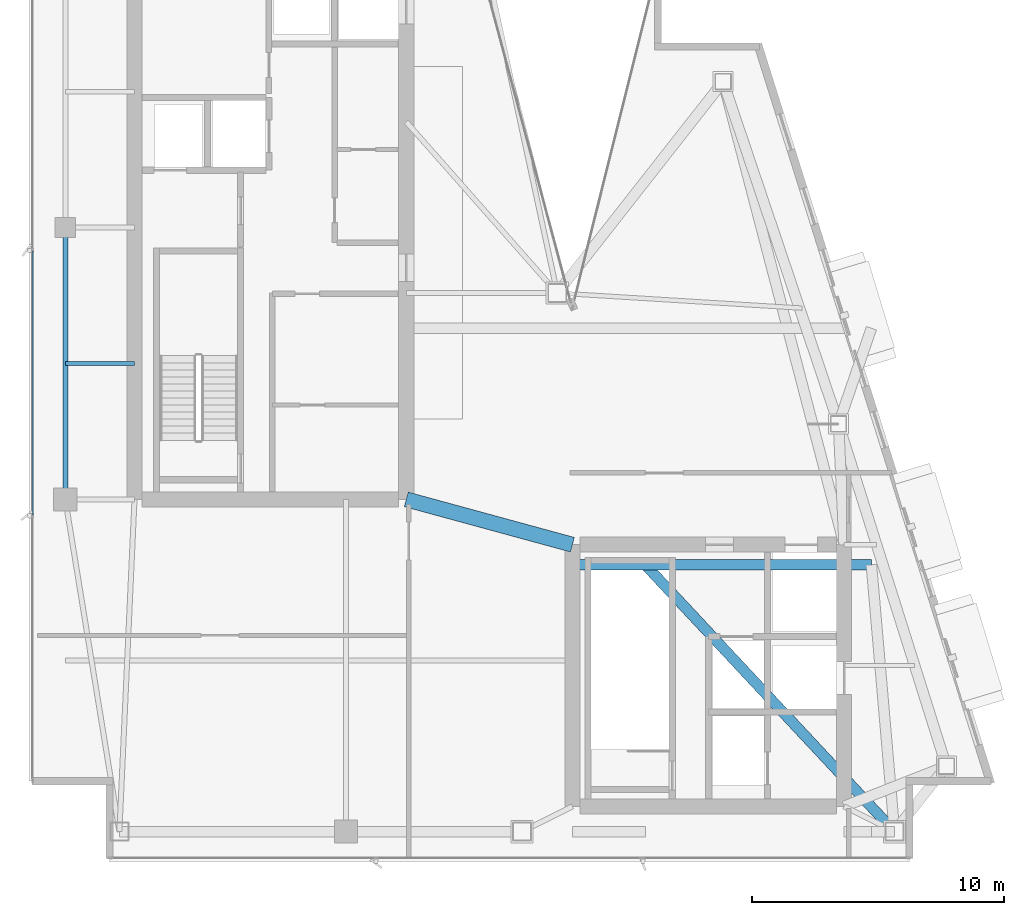
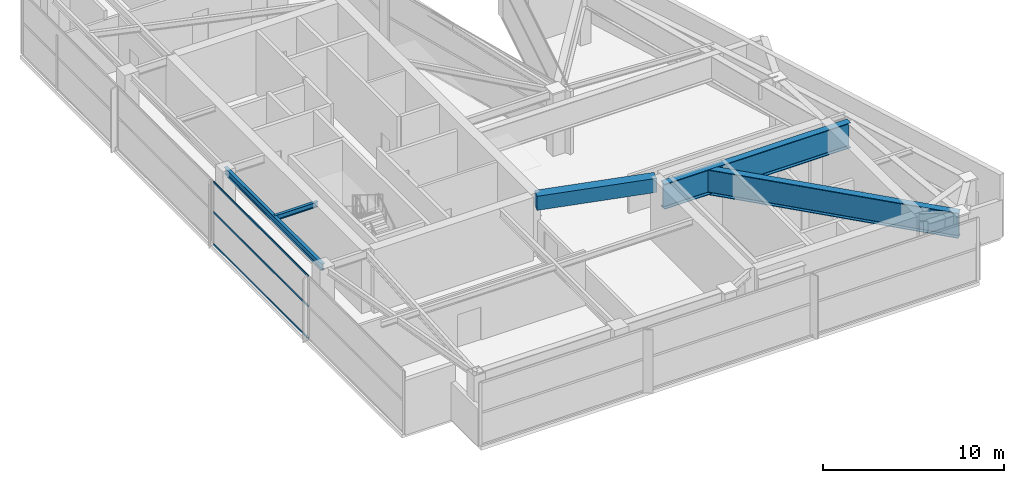
# One storey, part 8 of 25: 5 beams, 3 members, 1 element without a shape of its own.
"""IFC4 building model written with IfcOpenShell, lengths in metres."""

from ifc_helpers import new_model, si_unit, direction, frame, origin, origin_2d, place, context, subcontext, project, spatial, rectangle, hollow_rectangle, i_section, extrude, material, layer, layer_set, material_profile, profile_set, type_object, element, aggregate, save


model = new_model("IFC4")

# Units and contexts
model_context = context("Model", 3, precision=1e-05, world=origin(), true_north=direction((0.0, 1.0)))
body_context = subcontext(model_context, "Body", "Model", "MODEL_VIEW")
ifc_project = project(units=[si_unit("LENGTHUNIT", "METRE"), si_unit("AREAUNIT", "SQUARE_METRE"), si_unit("VOLUMEUNIT", "CUBIC_METRE"), si_unit("PLANEANGLEUNIT", "RADIAN"), si_unit("MASSUNIT", "GRAM", prefix="KILO")], contexts=[model_context])

# Site, building, storey
site_placement = place(None, origin())
site = spatial("IfcSite", under=ifc_project, at=site_placement, CompositionType="ELEMENT")
building_placement = place(site_placement, origin())
building = spatial("IfcBuilding", under=site, at=building_placement, Name="Calvorn Quay Hotel", CompositionType="ELEMENT")
storey_placement = place(building_placement, frame((0.0, 0.0, 316.0)))
storey = spatial("IfcBuildingStorey", under=building, at=storey_placement, Name="L78", CompositionType="ELEMENT", Elevation=316.0)

# Beams
ifc_material_1 = material(Name="Steel Q355B", Category="steel")
ifc_material_profile_1 = material_profile(ifc_material_1, i_section(OverallWidth=0.175048828125, OverallDepth=0.35009765625, WebThickness=0.007080078125, FlangeThickness=0.010986328125, FilletRadius=0.013916015625, at=origin_2d()), Name="HN350x175x7x11")
ifc_profile_set_1 = profile_set([ifc_material_profile_1], Name="Steel Q355B")
beam_type_1 = type_object("IfcBeamType", Name="BM-JOIST-SEC", PredefinedType="JOIST", material=ifc_profile_set_1)
beam_1_placement = place(storey_placement, frame((1.449951171875, 22.199951171875, 4.06494140625), z_axis=(1.0, 0.0, 0.0), x_axis=(0.0, 1.0, 0.0)))
element("IfcBeam", 1, at=beam_1_placement, inside=storey, type_object=beam_type_1, Name="Beam BJ-L78-W3", PredefinedType="JOIST", context=body_context, shape_type="SweptSolid", body=[
    extrude(i_section(OverallWidth=0.175048828125, OverallDepth=0.35009765625, WebThickness=0.007080078125, FlangeThickness=0.010986328125, FilletRadius=0.013916015625, at=origin_2d()), origin(), (0.0, 0.0, 1.0), 2.75),
])
ifc_material_2 = material(Name="Concrete C45", Category="concrete")
ifc_material_profile_2 = material_profile(ifc_material_2, rectangle(XDim=0.60009765625, YDim=0.949951171875, at=origin_2d()), Name="RCB600x950")
ifc_profile_set_2 = profile_set([ifc_material_profile_2], Name="Concrete C45")
beam_type_2 = type_object("IfcBeamType", Name="BM-RC-LINK-600x950", PredefinedType="BEAM", material=ifc_profile_set_2)
beam_2_placement = place(storey_placement, frame((15.0, 16.800048828125, 3.764892578125), z_axis=(0.964762997686, -0.263120425462, 0.0), x_axis=(0.263120425462, 0.964762997686, 0.0)))
element("IfcBeam", 2, at=beam_2_placement, inside=storey, type_object=beam_type_2, Name="Beam BCL-L78-01", PredefinedType="BEAM", context=body_context, shape_type="SweptSolid", body=[
    extrude(rectangle(XDim=0.60009765625, YDim=0.949951171875, at=origin_2d()), origin(), (0.0, 0.0, 1.0), 6.841064453125),
])
ifc_material_3 = material(Name="Steel Q355B", Category="steel")
ifc_material_profile_3 = material_profile(ifc_material_3, i_section(OverallWidth=0.199951171875, OverallDepth=0.449951171875, WebThickness=0.009033203125, FlangeThickness=0.013916015625, FilletRadius=0.01611328125, at=origin_2d()), Name="HN450x200x9x14")
ifc_profile_set_3 = profile_set([ifc_material_profile_3], Name="Steel Q355B")
beam_type_3 = type_object("IfcBeamType", Name="BM-SPANDREL-Z3", PredefinedType="SPANDREL", material=ifc_profile_set_3)
beam_3_placement = place(storey_placement, frame((1.449951171875, 16.800048828125, 4.014892578125), z_axis=(0.0, 1.0, 0.0), x_axis=(-1.0, 0.0, 0.0)))
element("IfcBeam", 3, at=beam_3_placement, inside=storey, type_object=beam_type_3, Name="Beam BSP-L78-W2", PredefinedType="SPANDREL", context=body_context, shape_type="SweptSolid", body=[
    extrude(i_section(OverallWidth=0.199951171875, OverallDepth=0.449951171875, WebThickness=0.009033203125, FlangeThickness=0.013916015625, FilletRadius=0.01611328125, at=origin_2d()), origin(), (0.0, 0.0, 1.0), 10.800048828125),
])
ifc_material_4 = material(Name="Steel Q420GJC", Category="steel")
ifc_material_profile_4 = material_profile(ifc_material_4, i_section(OverallWidth=0.419921875, OverallDepth=1.699951171875, WebThickness=0.02392578125, FlangeThickness=0.0419921875, FilletRadius=0.02392578125, at=origin_2d()), Name="HN1700x420x24x42")
ifc_profile_set_4 = profile_set([ifc_material_profile_4], Name="Steel Q420GJC")
beam_type_4 = type_object("IfcBeamType", Name="BM-XFER-SAWTOOTH", PredefinedType="BEAM", material=ifc_profile_set_4)
beam_4_placement = place(storey_placement, frame((21.60009765625, 14.199951171875, 3.389892578125), z_axis=(1.0, 0.0, 0.0), x_axis=(0.0, 1.0, 0.0)))
element("IfcBeam", 4, at=beam_4_placement, inside=storey, type_object=beam_type_4, Name="Beam BTG-L78-C-CR2A", PredefinedType="BEAM", context=body_context, shape_type="SweptSolid", body=[
    extrude(i_section(OverallWidth=0.419921875, OverallDepth=1.699951171875, WebThickness=0.02392578125, FlangeThickness=0.0419921875, FilletRadius=0.02392578125, at=origin_2d()), origin(), (0.0, 0.0, 1.0), 11.8828125),
])
beam_5_placement = place(storey_placement, frame((24.5, 14.199951171875, 3.389892578125), z_axis=(0.68256530398, -0.73082460673, 0.0), x_axis=(0.73082460673, 0.68256530398, 0.0)))
element("IfcBeam", 5, at=beam_5_placement, inside=storey, type_object=beam_type_4, Name="Beam BTG-L78-C-CRM2B", PredefinedType="BEAM", context=body_context, shape_type="SweptSolid", body=[
    extrude(i_section(OverallWidth=0.419921875, OverallDepth=1.699951171875, WebThickness=0.02392578125, FlangeThickness=0.0419921875, FilletRadius=0.02392578125, at=origin_2d()), origin(), (0.0, 0.0, 1.0), 14.50390625),
])

# Curtain wall, members
ifc_material_5 = material(Name="Champagne Bronze Anodised Aluminium and Low-E Glass", Category="aluminium")
ifc_layer = layer(ifc_material_5, 0.219970703125)
ifc_layer_set = layer_set([ifc_layer], Name="CW-SYS-Z4")
curtain_wall_type = type_object("IfcCurtainWallType", Name="CW-SYS-Z4", PredefinedType="NOTDEFINED", material=ifc_layer_set)
curtain_wall_placement = place(storey_placement, origin())
curtain_wall = element("IfcCurtainWall", 6, at=curtain_wall_placement, inside=storey, type_object=curtain_wall_type, Name="Tower West Curtain Wall (L78)", PredefinedType="NOTDEFINED")
ifc_material_6 = material(Name="Champagne Bronze Anodised Aluminium 6063-T6", Category="aluminium")
ifc_material_profile_5 = material_profile(ifc_material_6, hollow_rectangle(XDim=0.054931640625, YDim=0.1298828125, WallThickness=0.003173828125, at=origin_2d()), Name="ALU-T130x55x3.2")
ifc_profile_set_5 = profile_set([ifc_material_profile_5], Name="Champagne Bronze Anodised Aluminium 6063-T6")
member_type = type_object("IfcMemberType", Name="CW-SYS-Z4-TRN", PredefinedType="USERDEFINED", material=ifc_profile_set_5)
member_1_placement = place(storey_placement, frame((0.14990234375, 16.179931640625, 0.030029296875), z_axis=(0.0, 1.0, 0.0), x_axis=(-1.0, 0.0, 0.0)))
member_1 = element("IfcMember", 7, at=member_1_placement, type_object=member_type, Name="CW-L78-W transom 2.1", ObjectType="TRANSOM", PredefinedType="USERDEFINED", context=body_context, shape_type="SweptSolid", body=[
    extrude(hollow_rectangle(XDim=0.054931640625, YDim=0.1298828125, WallThickness=0.003173828125, at=origin_2d()), origin(), (0.0, 0.0, 1.0), 10.489990234375),
])
member_2_placement = place(storey_placement, frame((0.14990234375, 16.179931640625, 2.199951171875), z_axis=(0.0, 1.0, 0.0), x_axis=(-1.0, 0.0, 0.0)))
member_2 = element("IfcMember", 8, at=member_2_placement, type_object=member_type, Name="CW-L78-W transom 2.2", ObjectType="TRANSOM", PredefinedType="USERDEFINED", context=body_context, shape_type="SweptSolid", body=[
    extrude(hollow_rectangle(XDim=0.054931640625, YDim=0.1298828125, WallThickness=0.003173828125, at=origin_2d()), origin(), (0.0, 0.0, 1.0), 10.489990234375),
])
member_3_placement = place(storey_placement, frame((0.14990234375, 16.179931640625, 4.22998046875), z_axis=(0.0, 1.0, 0.0), x_axis=(-1.0, 0.0, 0.0)))
member_3 = element("IfcMember", 9, at=member_3_placement, type_object=member_type, Name="CW-L78-W transom 2.3", ObjectType="TRANSOM", PredefinedType="USERDEFINED", context=body_context, shape_type="SweptSolid", body=[
    extrude(hollow_rectangle(XDim=0.054931640625, YDim=0.1298828125, WallThickness=0.003173828125, at=origin_2d()), origin(), (0.0, 0.0, 1.0), 10.489990234375),
])
aggregate(curtain_wall, [member_1, member_2, member_3])

save(model, "model.ifc")
